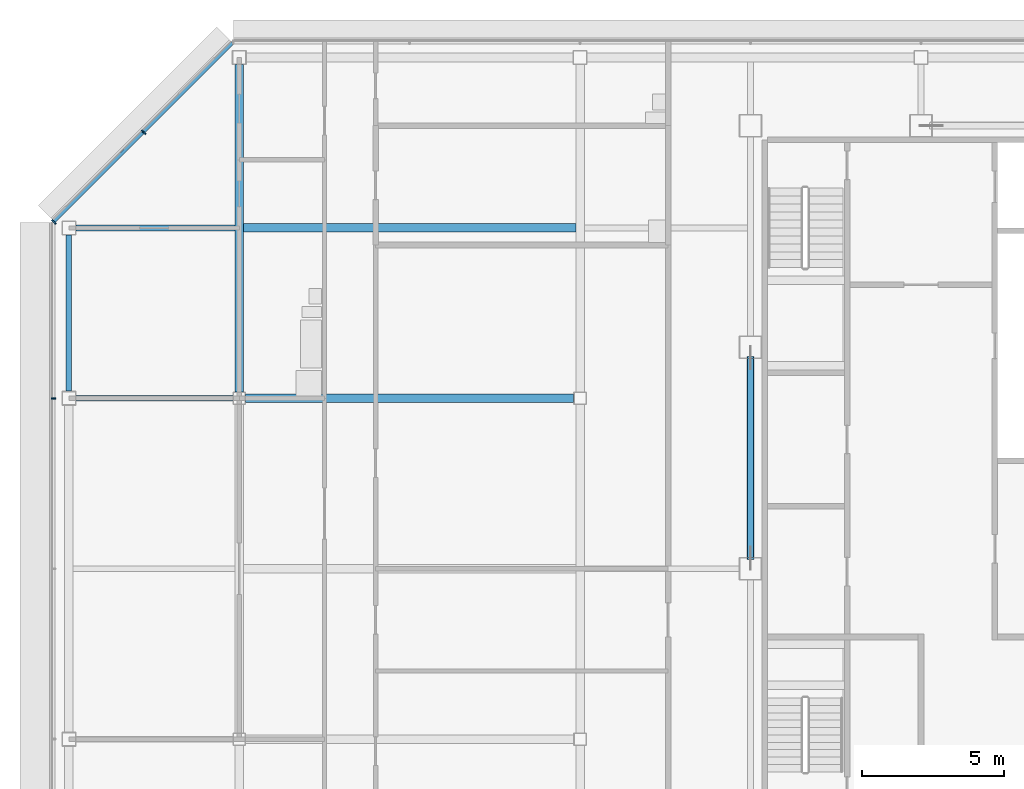
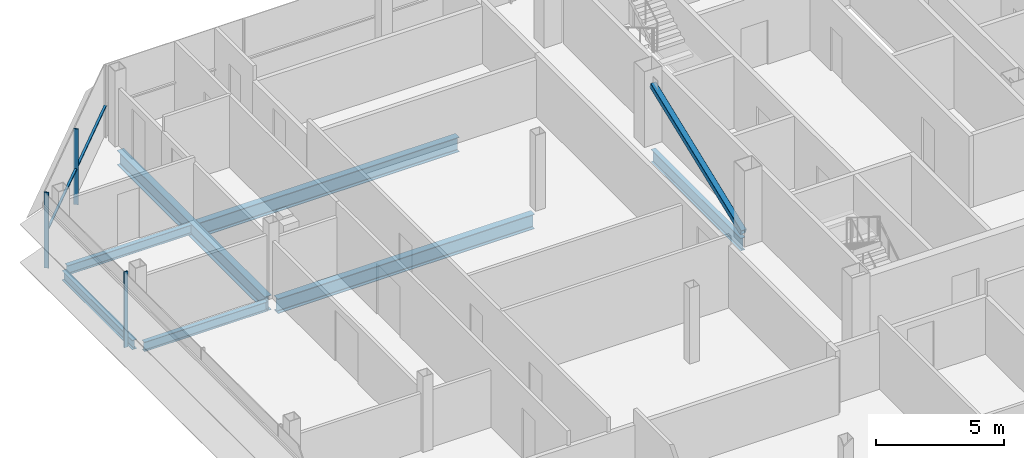
# One storey, part 13 of 27: 7 beams, 5 members, 2 elements without a shape of their own.
"""IFC4 building model written with IfcOpenShell, lengths in metres."""

from ifc_helpers import new_model, si_unit, direction, frame, origin, origin_2d, place, context, subcontext, project, spatial, rectangle, hollow_rectangle, i_section, extrude, material, material_profile, profile_set, type_object, element, aggregate, save


model = new_model("IFC4")

# Units and contexts
model_context = context("Model", 3, precision=1e-05, world=origin(), true_north=direction((0.0, 1.0)))
body_context = subcontext(model_context, "Body", "Model", "MODEL_VIEW")
ifc_project = project(units=[si_unit("LENGTHUNIT", "METRE"), si_unit("AREAUNIT", "SQUARE_METRE"), si_unit("VOLUMEUNIT", "CUBIC_METRE"), si_unit("PLANEANGLEUNIT", "RADIAN"), si_unit("MASSUNIT", "GRAM", prefix="KILO")], contexts=[model_context])

# Site, building, storey
site_placement = place(None, origin())
site = spatial("IfcSite", under=ifc_project, at=site_placement, CompositionType="ELEMENT")
building_placement = place(site_placement, origin())
building = spatial("IfcBuilding", under=site, at=building_placement, Name="Sorahane Residences", CompositionType="ELEMENT")
storey_placement = place(building_placement, frame((0.0, 0.0, 312.39990234375)))
storey = spatial("IfcBuildingStorey", under=building, at=storey_placement, Name="L74", CompositionType="ELEMENT", Elevation=312.39990234375)

# Member
ifc_material_1 = material(Name="Steel Q355B", Category="steel")
ifc_material_profile_1 = material_profile(ifc_material_1, hollow_rectangle(XDim=0.25, YDim=0.25, WallThickness=0.011962890625, InnerFilletRadius=0.006103515625, OuterFilletRadius=0.01806640625, at=origin_2d()), Name="RHS 250x250x12")
ifc_profile_set_1 = profile_set([ifc_material_profile_1], Name="Steel Q355B")
member_type_1 = type_object("IfcMemberType", Name="Core brace RHS 250x250x12 Q355B", PredefinedType="BRACE", material=ifc_profile_set_1)
member_1_placement = place(storey_placement, frame((6.0, 30.372802734375, 0.114501953125), z_axis=(0.0, 0.932102104456, 0.362195619617), x_axis=(-1.0, 0.0, 0.0)))
element("IfcMember", 1, at=member_1_placement, inside=storey, type_object=member_type_1, Name="Core brace L74 x6-2", PredefinedType="BRACE", context=body_context, shape_type="SweptSolid", body=[
    extrude(hollow_rectangle(XDim=0.25, YDim=0.25, WallThickness=0.011962890625, InnerFilletRadius=0.006103515625, OuterFilletRadius=0.01806640625, at=origin_2d()), origin(), (0.0, 0.0, 1.0), 7.568359375),
])

# Curtain wall, member
ifc_material_2 = material(Name="Dark low-e glass and black anodised aluminium", Category="aluminium")
curtain_wall_type_1 = type_object("IfcCurtainWallType", Name="Curtain wall CW-1 Typical unitised wall", PredefinedType="NOTDEFINED", material=ifc_material_2)
curtain_wall_1_placement = place(storey_placement, origin())
curtain_wall_1 = element("IfcCurtainWall", 2, at=curtain_wall_1_placement, inside=storey, type_object=curtain_wall_type_1, Name="CW-1 curtain wall L74 W1", PredefinedType="NOTDEFINED")
ifc_material_3 = material(Name="Black anodised aluminium", Category="aluminium")
ifc_material_profile_2 = material_profile(ifc_material_3, rectangle(XDim=0.159912109375, YDim=0.050048828125, at=origin_2d()), Name="Curtain wall mullion CW-1 black anodised aluminium 50x160")
ifc_profile_set_2 = profile_set([ifc_material_profile_2], Name="Black anodised aluminium")
member_type_2 = type_object("IfcMemberType", Name="Curtain wall mullion CW-1 black anodised aluminium 50x160", PredefinedType="MULLION", material=ifc_profile_set_2)
member_2_placement = place(storey_placement, frame((-18.5400390625, 36.0, -0.179931640625), z_axis=(0.0, 0.0, 1.0), x_axis=(-1.0, 0.0, 0.0)))
member_2 = element("IfcMember", 3, at=member_2_placement, type_object=member_type_2, Name="CW-1 mullion L74 W1.2", PredefinedType="MULLION", context=body_context, shape_type="SweptSolid", body=[
    extrude(rectangle(XDim=0.159912109375, YDim=0.050048828125, at=origin_2d()), origin(), (0.0, 0.0, 1.0), 3.60009765625),
])
aggregate(curtain_wall_1, [member_2])

# Curtain wall, members
ifc_material_4 = material(Name="Dark low-e glass and black anodised aluminium", Category="aluminium")
curtain_wall_type_2 = type_object("IfcCurtainWallType", Name="Curtain wall CW-2 Chamfer unitised wall", PredefinedType="NOTDEFINED", material=ifc_material_4)
curtain_wall_2_placement = place(storey_placement, origin())
curtain_wall_2 = element("IfcCurtainWall", 4, at=curtain_wall_2_placement, inside=storey, type_object=curtain_wall_type_2, Name="CW-2 curtain wall L74 NW1", PredefinedType="NOTDEFINED")
ifc_material_5 = material(Name="Black anodised aluminium", Category="aluminium")
ifc_material_profile_3 = material_profile(ifc_material_5, rectangle(XDim=0.199951171875, YDim=0.050048828125, at=origin_2d()), Name="Curtain wall mullion CW-2 black anodised aluminium 50x200")
ifc_profile_set_3 = profile_set([ifc_material_profile_3], Name="Black anodised aluminium")
member_type_3 = type_object("IfcMemberType", Name="Curtain wall mullion CW-2 black anodised aluminium 50x200", PredefinedType="MULLION", material=ifc_profile_set_3)
member_3_placement = place(storey_placement, frame((-15.36767578125, 45.36767578125, -0.179931640625), z_axis=(0.0, 0.0, 1.0), x_axis=(-0.707106781187, 0.707106781187, 0.0)))
member_3 = element("IfcMember", 5, at=member_3_placement, type_object=member_type_3, Name="CW-2 mullion L74 NW1.2", PredefinedType="MULLION", context=body_context, shape_type="SweptSolid", body=[
    extrude(rectangle(XDim=0.199951171875, YDim=0.050048828125, at=origin_2d()), origin(), (0.0, 0.0, 1.0), 3.60009765625),
])
member_4_placement = place(storey_placement, frame((-18.525634765625, 42.209716796875, -0.179931640625), z_axis=(0.0, 0.0, 1.0), x_axis=(-0.707106781187, 0.707106781187, 0.0)))
member_4 = element("IfcMember", 6, at=member_4_placement, type_object=member_type_3, Name="CW-2 mullion L74 NW1.3", PredefinedType="MULLION", context=body_context, shape_type="SweptSolid", body=[
    extrude(rectangle(XDim=0.199951171875, YDim=0.050048828125, at=origin_2d()), origin(), (0.0, 0.0, 1.0), 3.60009765625),
])
ifc_material_6 = material(Name="Black anodised aluminium", Category="aluminium")
ifc_material_profile_4 = material_profile(ifc_material_6, rectangle(XDim=0.10009765625, YDim=0.06005859375, at=origin_2d()), Name="Curtain wall transom CW-2 black anodised aluminium 60x100")
ifc_profile_set_4 = profile_set([ifc_material_profile_4], Name="Black anodised aluminium")
member_type_4 = type_object("IfcMemberType", Name="Curtain wall transom CW-2 black anodised aluminium 60x100", PredefinedType="USERDEFINED", material=ifc_profile_set_4)
member_5_placement = place(storey_placement, frame((-12.234375, 48.51513671875, 1.5), z_axis=(-0.707106781187, -0.707106781187, 0.0), x_axis=(0.707106781187, -0.707106781187, 0.0)))
member_5 = element("IfcMember", 7, at=member_5_placement, type_object=member_type_4, Name="CW-2 transom L74 NW1", ObjectType="TRANSOM", PredefinedType="USERDEFINED", context=body_context, shape_type="SweptSolid", body=[
    extrude(rectangle(XDim=0.10009765625, YDim=0.06005859375, at=origin_2d()), origin(), (0.0, 0.0, 1.0), 8.88232421875),
])
aggregate(curtain_wall_2, [member_3, member_4, member_5])

# Beams
ifc_material_7 = material(Name="Steel Q355B", Category="steel")
ifc_material_profile_5 = material_profile(ifc_material_7, i_section(OverallWidth=0.199951171875, OverallDepth=0.449951171875, WebThickness=0.009033203125, FlangeThickness=0.013916015625, FilletRadius=0.02001953125, at=origin_2d()), Name="HN 450x200x9x14")
ifc_profile_set_5 = profile_set([ifc_material_profile_5], Name="Steel Q355B")
beam_type_1 = type_object("IfcBeamType", Name="Steel floor beam HN 450x200x9x14 Q355B", PredefinedType="BEAM", material=ifc_profile_set_5)
beam_1_placement = place(storey_placement, frame((-17.75, 36.0, -0.40478515625), z_axis=(1.0, 0.0, 0.0), x_axis=(0.0, 1.0, 0.0)))
element("IfcBeam", 8, at=beam_1_placement, inside=storey, type_object=beam_type_1, Name="Beam L74 013", PredefinedType="BEAM", context=body_context, shape_type="SweptSolid", body=[
    extrude(i_section(OverallWidth=0.199951171875, OverallDepth=0.449951171875, WebThickness=0.009033203125, FlangeThickness=0.013916015625, FilletRadius=0.02001953125, at=origin_2d()), origin(), (0.0, 0.0, 1.0), 5.52490234375),
])
beam_2_placement = place(storey_placement, frame((-18.0, 36.25, -0.40478515625), z_axis=(0.0, 1.0, 0.0), x_axis=(-1.0, 0.0, 0.0)))
element("IfcBeam", 9, at=beam_2_placement, inside=storey, type_object=beam_type_1, Name="Beam L74 023", PredefinedType="BEAM", context=body_context, shape_type="SweptSolid", body=[
    extrude(i_section(OverallWidth=0.199951171875, OverallDepth=0.449951171875, WebThickness=0.009033203125, FlangeThickness=0.013916015625, FilletRadius=0.02001953125, at=origin_2d()), origin(), (0.0, 0.0, 1.0), 5.5),
])
beam_3_placement = place(storey_placement, frame((-17.75, 42.0, -0.40478515625), z_axis=(1.0, 0.0, 0.0), x_axis=(0.0, 1.0, 0.0)))
element("IfcBeam", 10, at=beam_3_placement, inside=storey, type_object=beam_type_1, Name="Beam L74 087", PredefinedType="BEAM", context=body_context, shape_type="SweptSolid", body=[
    extrude(i_section(OverallWidth=0.199951171875, OverallDepth=0.449951171875, WebThickness=0.009033203125, FlangeThickness=0.013916015625, FilletRadius=0.02001953125, at=origin_2d()), origin(), (0.0, 0.0, 1.0), 5.60009765625),
])
ifc_material_8 = material(Name="Steel Q355B", Category="steel")
ifc_material_profile_6 = material_profile(ifc_material_8, i_section(OverallWidth=0.199951171875, OverallDepth=0.60009765625, WebThickness=0.010986328125, FlangeThickness=0.01708984375, FilletRadius=0.02392578125, at=origin_2d()), Name="HN 600x200x11x17")
ifc_profile_set_6 = profile_set([ifc_material_profile_6], Name="Steel Q355B")
beam_type_2 = type_object("IfcBeamType", Name="Steel floor beam HN 600x200x11x17 Q355B", PredefinedType="BEAM", material=ifc_profile_set_6)
beam_4_placement = place(storey_placement, frame((6.0, 30.39990234375, -0.47998046875), z_axis=(0.0, 1.0, 0.0), x_axis=(-1.0, 0.0, 0.0)))
element("IfcBeam", 11, at=beam_4_placement, inside=storey, type_object=beam_type_2, Name="Beam L74 035", PredefinedType="BEAM", context=body_context, shape_type="SweptSolid", body=[
    extrude(i_section(OverallWidth=0.199951171875, OverallDepth=0.60009765625, WebThickness=0.010986328125, FlangeThickness=0.01708984375, FilletRadius=0.02392578125, at=origin_2d()), origin(), (0.0, 0.0, 1.0), 7.0),
])
ifc_material_9 = material(Name="Steel Q355B", Category="steel")
ifc_material_profile_7 = material_profile(ifc_material_9, i_section(OverallWidth=0.300048828125, OverallDepth=0.699951171875, WebThickness=0.012939453125, FlangeThickness=0.02392578125, FilletRadius=0.028076171875, at=origin_2d()), Name="HN 700x300x13x24")
ifc_profile_set_7 = profile_set([ifc_material_profile_7], Name="Steel Q355B")
beam_type_3 = type_object("IfcBeamType", Name="Steel floor beam HN 700x300x13x24 Q355B", PredefinedType="BEAM", material=ifc_profile_set_7)
beam_5_placement = place(storey_placement, frame((-11.77490234375, 36.0, -0.52978515625), z_axis=(1.0, 0.0, 0.0), x_axis=(0.0, 1.0, 0.0)))
element("IfcBeam", 12, at=beam_5_placement, inside=storey, type_object=beam_type_3, Name="Beam L74 014", PredefinedType="BEAM", context=body_context, shape_type="SweptSolid", body=[
    extrude(i_section(OverallWidth=0.300048828125, OverallDepth=0.699951171875, WebThickness=0.012939453125, FlangeThickness=0.02392578125, FilletRadius=0.028076171875, at=origin_2d()), origin(), (0.0, 0.0, 1.0), 11.5498046875),
])
beam_6_placement = place(storey_placement, frame((-12.0, 36.22509765625, -0.52978515625), z_axis=(0.0, 1.0, 0.0), x_axis=(-1.0, 0.0, 0.0)))
element("IfcBeam", 13, at=beam_6_placement, inside=storey, type_object=beam_type_3, Name="Beam L74 027", PredefinedType="BEAM", context=body_context, shape_type="SweptSolid", body=[
    extrude(i_section(OverallWidth=0.300048828125, OverallDepth=0.699951171875, WebThickness=0.012939453125, FlangeThickness=0.02392578125, FilletRadius=0.028076171875, at=origin_2d()), origin(), (0.0, 0.0, 1.0), 11.52490234375),
])
beam_7_placement = place(storey_placement, frame((-11.85009765625, 42.0, -0.52978515625), z_axis=(1.0, 0.0, 0.0), x_axis=(0.0, 1.0, 0.0)))
element("IfcBeam", 14, at=beam_7_placement, inside=storey, type_object=beam_type_3, Name="Beam L74 088", PredefinedType="BEAM", context=body_context, shape_type="SweptSolid", body=[
    extrude(i_section(OverallWidth=0.300048828125, OverallDepth=0.699951171875, WebThickness=0.012939453125, FlangeThickness=0.02392578125, FilletRadius=0.028076171875, at=origin_2d()), origin(), (0.0, 0.0, 1.0), 11.7001953125),
])

save(model, "model.ifc")
